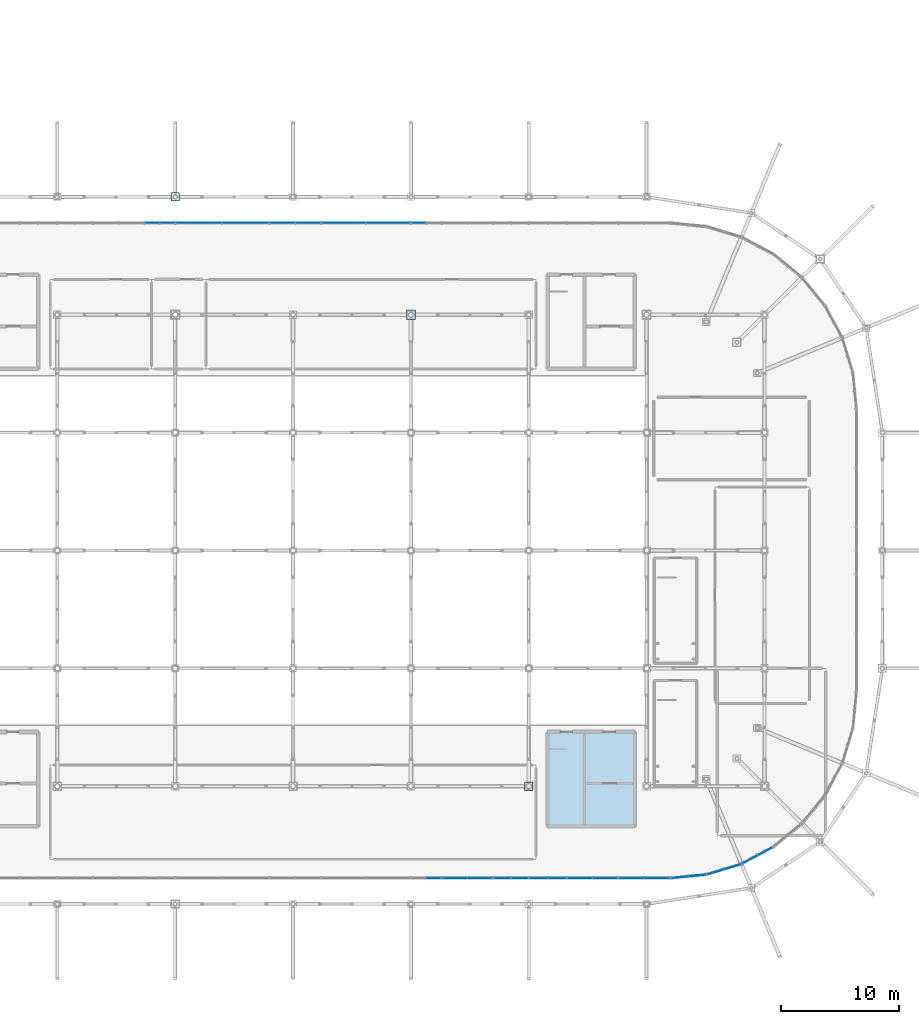
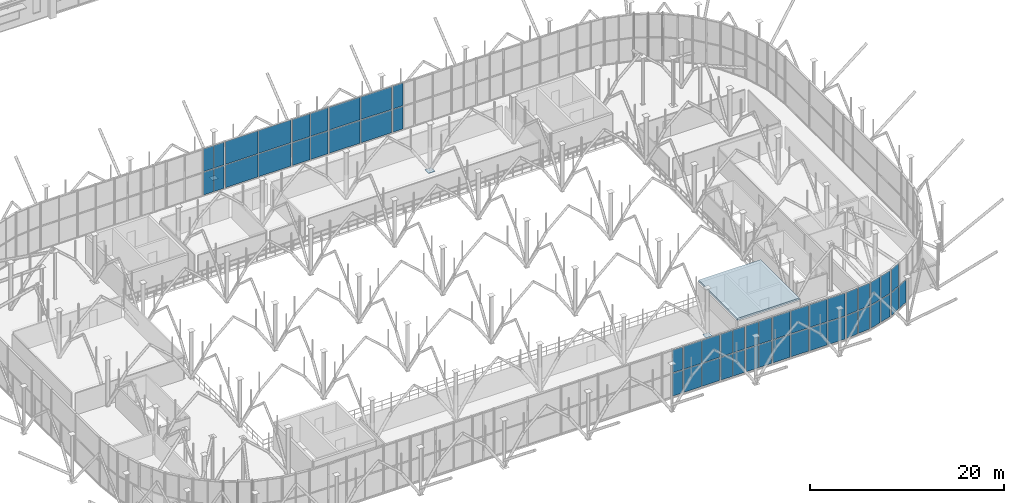
# One storey, part 89 of 109: 54 plates, 1 slab, 14 elements without a shape of their own.
"""IFC4 building model written with IfcOpenShell, lengths in metres."""

from ifc_helpers import new_model, si_unit, derived_unit, direction, frame, origin, origin_2d_with_axis, place, context, subcontext, project, spatial, polyline, rectangle, outline, extrude, material, layer, layer_set, type_object, element, aggregate, save


model = new_model("IFC4")

# Units and contexts
model_context = context("Model", 3, precision=1e-05, world=origin(), true_north=direction((0.0, 1.0)))
body_context = subcontext(model_context, "Body", "Model", "MODEL_VIEW")
ifc_project = project(units=[si_unit("LENGTHUNIT", "METRE"), si_unit("AREAUNIT", "SQUARE_METRE"), si_unit("VOLUMEUNIT", "CUBIC_METRE"), si_unit("PLANEANGLEUNIT", "RADIAN"), si_unit("MASSUNIT", "GRAM", prefix="KILO"), derived_unit("THERMALTRANSMITTANCEUNIT", [(si_unit("POWERUNIT", "WATT"), 1), (si_unit("LENGTHUNIT", "METRE"), -2), (si_unit("THERMODYNAMICTEMPERATUREUNIT", "KELVIN"), -1)])], contexts=[model_context])

# Site, building, storey
site_placement = place(None, origin())
site = spatial("IfcSite", under=ifc_project, at=site_placement, CompositionType="ELEMENT")
building_placement = place(site_placement, origin())
building = spatial("IfcBuilding", under=site, at=building_placement, Name="Cinnabar Yard Market Hall", CompositionType="ELEMENT")
storey_placement = place(building_placement, frame((0.0, 0.0, 8.39990234375)))
storey = spatial("IfcBuildingStorey", under=building, at=storey_placement, Name="L02", CompositionType="ELEMENT", Elevation=8.39990234375)

# Curtain wall, plates
ifc_material_1 = material(Name="Anodised bronze aluminium and low-E glass", Category="aluminium")
curtain_wall_type_1 = type_object("IfcCurtainWallType", Name="CW-CWH026x60", PredefinedType="NOTDEFINED", material=ifc_material_1)
curtain_wall_1_placement = place(storey_placement, origin())
curtain_wall_1 = element("IfcCurtainWall", 1, at=curtain_wall_1_placement, inside=storey, type_object=curtain_wall_type_1, Name="Market Hall North Upper Clerestory B2B", PredefinedType="NOTDEFINED")
ifc_material_2 = material(Name="Low-E laminated glass", Category="glass")
ifc_layer_1 = layer(ifc_material_2, 0.031982421875)
ifc_layer_set_1 = layer_set([ifc_layer_1], Name="Low-E laminated glass")
plate_type_1 = type_object("IfcPlateType", Name="CWP-GP118x287", PredefinedType="CURTAIN_PANEL", material=ifc_layer_set_1)
plate_1_placement = place(storey_placement, frame((105.330078125, 71.800048828125, 0.080078125), z_axis=(0.0, 0.0, 1.0), x_axis=(-1.0, 0.0, 0.0)))
plate_1 = element("IfcPlate", 2, at=plate_1_placement, type_object=plate_type_1, Name="CWH026x60 panel 1.1", PredefinedType="CURTAIN_PANEL", context=body_context, shape_type="SweptSolid", body=[
    extrude(rectangle(XDim=1.179931640625, YDim=0.031982421875, at=origin_2d_with_axis()), origin(), (0.0, 0.0, 1.0), 2.8701171875),
])
plate_2_placement = place(storey_placement, frame((105.330078125, 71.800048828125, 3.030029296875), z_axis=(0.0, 0.0, 1.0), x_axis=(-1.0, 0.0, 0.0)))
plate_2 = element("IfcPlate", 3, at=plate_2_placement, type_object=plate_type_1, Name="CWH026x60 panel 1.2", PredefinedType="CURTAIN_PANEL", context=body_context, shape_type="SweptSolid", body=[
    extrude(rectangle(XDim=1.179931640625, YDim=0.031982421875, at=origin_2d_with_axis()), origin(), (0.0, 0.0, 1.0), 2.8701171875),
])
plate_3_placement = place(storey_placement, frame((104.070068359375, 71.800048828125, 0.080078125), z_axis=(0.0, 0.0, 1.0), x_axis=(-1.0, 0.0, 0.0)))
plate_3 = element("IfcPlate", 4, at=plate_3_placement, type_object=plate_type_1, Name="CWH026x60 panel 2.1", PredefinedType="CURTAIN_PANEL", context=body_context, shape_type="SweptSolid", body=[
    extrude(rectangle(XDim=1.179931640625, YDim=0.031982421875, at=origin_2d_with_axis()), origin(), (0.0, 0.0, 1.0), 2.8701171875),
])
plate_4_placement = place(storey_placement, frame((104.070068359375, 71.800048828125, 3.030029296875), z_axis=(0.0, 0.0, 1.0), x_axis=(-1.0, 0.0, 0.0)))
plate_4 = element("IfcPlate", 5, at=plate_4_placement, type_object=plate_type_1, Name="CWH026x60 panel 2.2", PredefinedType="CURTAIN_PANEL", context=body_context, shape_type="SweptSolid", body=[
    extrude(rectangle(XDim=1.179931640625, YDim=0.031982421875, at=origin_2d_with_axis()), origin(), (0.0, 0.0, 1.0), 2.8701171875),
])
aggregate(curtain_wall_1, [plate_1, plate_2, plate_3, plate_4])

curtain_wall_2_placement = place(storey_placement, origin())
curtain_wall_2 = element("IfcCurtainWall", 6, at=curtain_wall_2_placement, inside=storey, type_object=curtain_wall_type_1, Name="Market Hall South Upper Clerestory B5A", PredefinedType="NOTDEFINED")
plate_5_placement = place(storey_placement, frame((127.929931640625, 16.199951171875, 0.080078125), z_axis=(0.0, 0.0, 1.0), x_axis=(1.0, 0.0, 0.0)))
plate_5 = element("IfcPlate", 7, at=plate_5_placement, type_object=plate_type_1, Name="CWH026x60 panel 2.1", PredefinedType="CURTAIN_PANEL", context=body_context, shape_type="SweptSolid", body=[
    extrude(rectangle(XDim=1.179931640625, YDim=0.031982421875, at=origin_2d_with_axis()), origin(), (0.0, 0.0, 1.0), 2.8701171875),
])
plate_6_placement = place(storey_placement, frame((127.929931640625, 16.199951171875, 3.030029296875), z_axis=(0.0, 0.0, 1.0), x_axis=(1.0, 0.0, 0.0)))
plate_6 = element("IfcPlate", 8, at=plate_6_placement, type_object=plate_type_1, Name="CWH026x60 panel 2.2", PredefinedType="CURTAIN_PANEL", context=body_context, shape_type="SweptSolid", body=[
    extrude(rectangle(XDim=1.179931640625, YDim=0.031982421875, at=origin_2d_with_axis()), origin(), (0.0, 0.0, 1.0), 2.8701171875),
])
aggregate(curtain_wall_2, [plate_5, plate_6])

curtain_wall_3_placement = place(storey_placement, origin())
curtain_wall_3 = element("IfcCurtainWall", 9, at=curtain_wall_3_placement, inside=storey, type_object=curtain_wall_type_1, Name="Market Hall North Upper Clerestory B5A", PredefinedType="NOTDEFINED")
plate_7_placement = place(storey_placement, frame((126.669921875, 71.800048828125, 0.080078125), z_axis=(0.0, 0.0, 1.0), x_axis=(-1.0, 0.0, 0.0)))
plate_7 = element("IfcPlate", 10, at=plate_7_placement, type_object=plate_type_1, Name="CWH026x60 panel 2.1", PredefinedType="CURTAIN_PANEL", context=body_context, shape_type="SweptSolid", body=[
    extrude(rectangle(XDim=1.179931640625, YDim=0.031982421875, at=origin_2d_with_axis()), origin(), (0.0, 0.0, 1.0), 2.8701171875),
])
plate_8_placement = place(storey_placement, frame((126.669921875, 71.800048828125, 3.030029296875), z_axis=(0.0, 0.0, 1.0), x_axis=(-1.0, 0.0, 0.0)))
plate_8 = element("IfcPlate", 11, at=plate_8_placement, type_object=plate_type_1, Name="CWH026x60 panel 2.2", PredefinedType="CURTAIN_PANEL", context=body_context, shape_type="SweptSolid", body=[
    extrude(rectangle(XDim=1.179931640625, YDim=0.031982421875, at=origin_2d_with_axis()), origin(), (0.0, 0.0, 1.0), 2.8701171875),
])
aggregate(curtain_wall_3, [plate_7, plate_8])

curtain_wall_type_2 = type_object("IfcCurtainWallType", Name="CW-CWH030x60", PredefinedType="NOTDEFINED", material=ifc_material_1)
curtain_wall_4_placement = place(storey_placement, origin())
curtain_wall_4 = element("IfcCurtainWall", 12, at=curtain_wall_4_placement, inside=storey, type_object=curtain_wall_type_2, Name="Market Hall South Upper Clerestory B5B", PredefinedType="NOTDEFINED")
ifc_layer_2 = layer(ifc_material_2, 0.031982421875)
ifc_layer_set_2 = layer_set([ifc_layer_2], Name="Low-E laminated glass")
plate_type_2 = type_object("IfcPlateType", Name="CWP-GP138x287", PredefinedType="CURTAIN_PANEL", material=ifc_layer_set_2)
plate_9_placement = place(storey_placement, frame((133.77001953125, 16.199951171875, 0.080078125), z_axis=(0.0, 0.0, 1.0), x_axis=(1.0, 0.0, 0.0)))
plate_9 = element("IfcPlate", 13, at=plate_9_placement, type_object=plate_type_2, Name="CWH030x60 panel 1.1", PredefinedType="CURTAIN_PANEL", context=body_context, shape_type="SweptSolid", body=[
    extrude(rectangle(XDim=1.3798828125, YDim=0.031982421875, at=origin_2d_with_axis()), origin(), (0.0, 0.0, 1.0), 2.8701171875),
])
plate_10_placement = place(storey_placement, frame((133.77001953125, 16.199951171875, 3.030029296875), z_axis=(0.0, 0.0, 1.0), x_axis=(1.0, 0.0, 0.0)))
plate_10 = element("IfcPlate", 14, at=plate_10_placement, type_object=plate_type_2, Name="CWH030x60 panel 1.2", PredefinedType="CURTAIN_PANEL", context=body_context, shape_type="SweptSolid", body=[
    extrude(rectangle(XDim=1.3798828125, YDim=0.031982421875, at=origin_2d_with_axis()), origin(), (0.0, 0.0, 1.0), 2.8701171875),
])
plate_11_placement = place(storey_placement, frame((135.22998046875, 16.199951171875, 0.080078125), z_axis=(0.0, 0.0, 1.0), x_axis=(1.0, 0.0, 0.0)))
plate_11 = element("IfcPlate", 15, at=plate_11_placement, type_object=plate_type_2, Name="CWH030x60 panel 2.1", PredefinedType="CURTAIN_PANEL", context=body_context, shape_type="SweptSolid", body=[
    extrude(rectangle(XDim=1.3798828125, YDim=0.031982421875, at=origin_2d_with_axis()), origin(), (0.0, 0.0, 1.0), 2.8701171875),
])
plate_12_placement = place(storey_placement, frame((135.22998046875, 16.199951171875, 3.030029296875), z_axis=(0.0, 0.0, 1.0), x_axis=(1.0, 0.0, 0.0)))
plate_12 = element("IfcPlate", 16, at=plate_12_placement, type_object=plate_type_2, Name="CWH030x60 panel 2.2", PredefinedType="CURTAIN_PANEL", context=body_context, shape_type="SweptSolid", body=[
    extrude(rectangle(XDim=1.3798828125, YDim=0.031982421875, at=origin_2d_with_axis()), origin(), (0.0, 0.0, 1.0), 2.8701171875),
])
aggregate(curtain_wall_4, [plate_9, plate_10, plate_11, plate_12])

ifc_material_3 = material(Name="Anodised bronze aluminium curved-chord facade", Category="aluminium")
curtain_wall_type_3 = type_object("IfcCurtainWallType", Name="CW-CWC031x60", PredefinedType="NOTDEFINED", material=ifc_material_3)
curtain_wall_5_placement = place(storey_placement, origin())
curtain_wall_5 = element("IfcCurtainWall", 17, at=curtain_wall_5_placement, inside=storey, type_object=curtain_wall_type_3, Name="Corner SE Chord 1 L02", PredefinedType="NOTDEFINED")
ifc_layer_3 = layer(ifc_material_2, 0.031982421875)
ifc_layer_set_3 = layer_set([ifc_layer_3], Name="Low-E laminated glass")
plate_type_3 = type_object("IfcPlateType", Name="CWP-GP141x286", PredefinedType="CURTAIN_PANEL", material=ifc_layer_set_3)
plate_13_placement = place(storey_placement, frame((148.79296875, 16.278076171875, 0.090087890625), z_axis=(0.0, 0.0, 1.0), x_axis=(0.995184408637, 0.098020369342, 0.0)))
plate_13 = element("IfcPlate", 18, at=plate_13_placement, type_object=plate_type_3, Name="CWC031x60 panel 1.1", PredefinedType="CURTAIN_PANEL", context=body_context, shape_type="SweptSolid", body=[
    extrude(rectangle(XDim=1.41357421875, YDim=0.031982421875, at=origin_2d_with_axis()), origin(), (0.0, 0.0, 1.0), 2.85498046875),
])
plate_14_placement = place(storey_placement, frame((148.79296875, 16.278076171875, 3.03515625), z_axis=(0.0, 0.0, 1.0), x_axis=(0.995184408637, 0.098020369342, 0.0)))
plate_14 = element("IfcPlate", 19, at=plate_14_placement, type_object=plate_type_3, Name="CWC031x60 panel 1.2", PredefinedType="CURTAIN_PANEL", context=body_context, shape_type="SweptSolid", body=[
    extrude(rectangle(XDim=1.41357421875, YDim=0.031982421875, at=origin_2d_with_axis()), origin(), (0.0, 0.0, 1.0), 2.85498046875),
])
plate_15_placement = place(storey_placement, frame((150.289306640625, 16.425537109375, 0.090087890625), z_axis=(0.0, 0.0, 1.0), x_axis=(0.995184408637, 0.098020369342, 0.0)))
plate_15 = element("IfcPlate", 20, at=plate_15_placement, type_object=plate_type_3, Name="CWC031x60 panel 2.1", PredefinedType="CURTAIN_PANEL", context=body_context, shape_type="SweptSolid", body=[
    extrude(rectangle(XDim=1.41357421875, YDim=0.031982421875, at=origin_2d_with_axis()), origin(), (0.0, 0.0, 1.0), 2.85498046875),
])
plate_16_placement = place(storey_placement, frame((150.289306640625, 16.425537109375, 3.03515625), z_axis=(0.0, 0.0, 1.0), x_axis=(0.995184408637, 0.098020369342, 0.0)))
plate_16 = element("IfcPlate", 21, at=plate_16_placement, type_object=plate_type_3, Name="CWC031x60 panel 2.2", PredefinedType="CURTAIN_PANEL", context=body_context, shape_type="SweptSolid", body=[
    extrude(rectangle(XDim=1.41357421875, YDim=0.031982421875, at=origin_2d_with_axis()), origin(), (0.0, 0.0, 1.0), 2.85498046875),
])
aggregate(curtain_wall_5, [plate_13, plate_14, plate_15, plate_16])

curtain_wall_6_placement = place(storey_placement, origin())
curtain_wall_6 = element("IfcCurtainWall", 22, at=curtain_wall_6_placement, inside=storey, type_object=curtain_wall_type_3, Name="Corner SE Chord 2 L02", PredefinedType="NOTDEFINED")
plate_17_placement = place(storey_placement, frame((151.844970703125, 16.73486328125, 0.090087890625), z_axis=(0.0, 0.0, 1.0), x_axis=(0.956942090856, 0.290278891325, 0.0)))
plate_17 = element("IfcPlate", 23, at=plate_17_placement, type_object=plate_type_3, Name="CWC031x60 panel 1.1", PredefinedType="CURTAIN_PANEL", context=body_context, shape_type="SweptSolid", body=[
    extrude(rectangle(XDim=1.41357421875, YDim=0.031982421875, at=origin_2d_with_axis()), origin(), (0.0, 0.0, 1.0), 2.85498046875),
])
plate_18_placement = place(storey_placement, frame((151.844970703125, 16.73486328125, 3.03515625), z_axis=(0.0, 0.0, 1.0), x_axis=(0.956942090856, 0.290278891325, 0.0)))
plate_18 = element("IfcPlate", 24, at=plate_18_placement, type_object=plate_type_3, Name="CWC031x60 panel 1.2", PredefinedType="CURTAIN_PANEL", context=body_context, shape_type="SweptSolid", body=[
    extrude(rectangle(XDim=1.41357421875, YDim=0.031982421875, at=origin_2d_with_axis()), origin(), (0.0, 0.0, 1.0), 2.85498046875),
])
plate_19_placement = place(storey_placement, frame((153.283935546875, 17.17138671875, 0.090087890625), z_axis=(0.0, 0.0, 1.0), x_axis=(0.956942090856, 0.290278891325, 0.0)))
plate_19 = element("IfcPlate", 25, at=plate_19_placement, type_object=plate_type_3, Name="CWC031x60 panel 2.1", PredefinedType="CURTAIN_PANEL", context=body_context, shape_type="SweptSolid", body=[
    extrude(rectangle(XDim=1.41357421875, YDim=0.031982421875, at=origin_2d_with_axis()), origin(), (0.0, 0.0, 1.0), 2.85498046875),
])
plate_20_placement = place(storey_placement, frame((153.283935546875, 17.17138671875, 3.03515625), z_axis=(0.0, 0.0, 1.0), x_axis=(0.956942090856, 0.290278891325, 0.0)))
plate_20 = element("IfcPlate", 26, at=plate_20_placement, type_object=plate_type_3, Name="CWC031x60 panel 2.2", PredefinedType="CURTAIN_PANEL", context=body_context, shape_type="SweptSolid", body=[
    extrude(rectangle(XDim=1.41357421875, YDim=0.031982421875, at=origin_2d_with_axis()), origin(), (0.0, 0.0, 1.0), 2.85498046875),
])
aggregate(curtain_wall_6, [plate_17, plate_18, plate_19, plate_20])

curtain_wall_7_placement = place(storey_placement, origin())
curtain_wall_7 = element("IfcCurtainWall", 27, at=curtain_wall_7_placement, inside=storey, type_object=curtain_wall_type_3, Name="Corner SE Chord 3 L02", PredefinedType="NOTDEFINED")
plate_21_placement = place(storey_placement, frame((154.7490234375, 17.7783203125, 0.090087890625), z_axis=(0.0, 0.0, 1.0), x_axis=(0.881917320707, 0.471404114786, 0.0)))
plate_21 = element("IfcPlate", 28, at=plate_21_placement, type_object=plate_type_3, Name="CWC031x60 panel 1.1", PredefinedType="CURTAIN_PANEL", context=body_context, shape_type="SweptSolid", body=[
    extrude(rectangle(XDim=1.41357421875, YDim=0.031982421875, at=origin_2d_with_axis()), origin(), (0.0, 0.0, 1.0), 2.85498046875),
])
plate_22_placement = place(storey_placement, frame((154.7490234375, 17.7783203125, 3.03515625), z_axis=(0.0, 0.0, 1.0), x_axis=(0.881917320707, 0.471404114786, 0.0)))
plate_22 = element("IfcPlate", 29, at=plate_22_placement, type_object=plate_type_3, Name="CWC031x60 panel 1.2", PredefinedType="CURTAIN_PANEL", context=body_context, shape_type="SweptSolid", body=[
    extrude(rectangle(XDim=1.41357421875, YDim=0.031982421875, at=origin_2d_with_axis()), origin(), (0.0, 0.0, 1.0), 2.85498046875),
])
plate_23_placement = place(storey_placement, frame((156.0751953125, 18.487060546875, 0.090087890625), z_axis=(0.0, 0.0, 1.0), x_axis=(0.881917320707, 0.471404114786, 0.0)))
plate_23 = element("IfcPlate", 30, at=plate_23_placement, type_object=plate_type_3, Name="CWC031x60 panel 2.1", PredefinedType="CURTAIN_PANEL", context=body_context, shape_type="SweptSolid", body=[
    extrude(rectangle(XDim=1.41357421875, YDim=0.031982421875, at=origin_2d_with_axis()), origin(), (0.0, 0.0, 1.0), 2.85498046875),
])
aggregate(curtain_wall_7, [plate_21, plate_22, plate_23])

curtain_wall_type_4 = type_object("IfcCurtainWallType", Name="CW-CWH032x60", PredefinedType="NOTDEFINED", material=ifc_material_1)
curtain_wall_8_placement = place(storey_placement, origin())
curtain_wall_8 = element("IfcCurtainWall", 31, at=curtain_wall_8_placement, inside=storey, type_object=curtain_wall_type_4, Name="Market Hall South Upper Clerestory B6A", PredefinedType="NOTDEFINED")
ifc_layer_4 = layer(ifc_material_2, 0.031982421875)
ifc_layer_set_4 = layer_set([ifc_layer_4], Name="Low-E laminated glass")
plate_type_4 = type_object("IfcPlateType", Name="CWP-GP148x287", PredefinedType="CURTAIN_PANEL", material=ifc_layer_set_4)
plate_24_placement = place(storey_placement, frame((136.820068359375, 16.199951171875, 0.080078125), z_axis=(0.0, 0.0, 1.0), x_axis=(1.0, 0.0, 0.0)))
plate_24 = element("IfcPlate", 32, at=plate_24_placement, type_object=plate_type_4, Name="CWH032x60 panel 1.1", PredefinedType="CURTAIN_PANEL", context=body_context, shape_type="SweptSolid", body=[
    extrude(rectangle(XDim=1.47998046875, YDim=0.031982421875, at=origin_2d_with_axis()), origin(), (0.0, 0.0, 1.0), 2.8701171875),
])
plate_25_placement = place(storey_placement, frame((136.820068359375, 16.199951171875, 3.030029296875), z_axis=(0.0, 0.0, 1.0), x_axis=(1.0, 0.0, 0.0)))
plate_25 = element("IfcPlate", 33, at=plate_25_placement, type_object=plate_type_4, Name="CWH032x60 panel 1.2", PredefinedType="CURTAIN_PANEL", context=body_context, shape_type="SweptSolid", body=[
    extrude(rectangle(XDim=1.47998046875, YDim=0.031982421875, at=origin_2d_with_axis()), origin(), (0.0, 0.0, 1.0), 2.8701171875),
])
plate_26_placement = place(storey_placement, frame((138.3798828125, 16.199951171875, 0.080078125), z_axis=(0.0, 0.0, 1.0), x_axis=(1.0, 0.0, 0.0)))
plate_26 = element("IfcPlate", 34, at=plate_26_placement, type_object=plate_type_4, Name="CWH032x60 panel 2.1", PredefinedType="CURTAIN_PANEL", context=body_context, shape_type="SweptSolid", body=[
    extrude(rectangle(XDim=1.47998046875, YDim=0.031982421875, at=origin_2d_with_axis()), origin(), (0.0, 0.0, 1.0), 2.8701171875),
])
plate_27_placement = place(storey_placement, frame((138.3798828125, 16.199951171875, 3.030029296875), z_axis=(0.0, 0.0, 1.0), x_axis=(1.0, 0.0, 0.0)))
plate_27 = element("IfcPlate", 35, at=plate_27_placement, type_object=plate_type_4, Name="CWH032x60 panel 2.2", PredefinedType="CURTAIN_PANEL", context=body_context, shape_type="SweptSolid", body=[
    extrude(rectangle(XDim=1.47998046875, YDim=0.031982421875, at=origin_2d_with_axis()), origin(), (0.0, 0.0, 1.0), 2.8701171875),
])
aggregate(curtain_wall_8, [plate_24, plate_25, plate_26, plate_27])

curtain_wall_type_5 = type_object("IfcCurtainWallType", Name="CW-CWH044x60", PredefinedType="NOTDEFINED", material=ifc_material_1)
curtain_wall_9_placement = place(storey_placement, origin())
curtain_wall_9 = element("IfcCurtainWall", 36, at=curtain_wall_9_placement, inside=storey, type_object=curtain_wall_type_5, Name="Market Hall North Upper Clerestory PT1", PredefinedType="NOTDEFINED")
ifc_layer_5 = layer(ifc_material_2, 0.031982421875)
ifc_layer_set_5 = layer_set([ifc_layer_5], Name="Low-E laminated glass")
plate_type_5 = type_object("IfcPlateType", Name="CWP-GP208x287", PredefinedType="CURTAIN_PANEL", material=ifc_layer_set_5)
plate_28_placement = place(storey_placement, frame((117.280029296875, 71.800048828125, 0.080078125), z_axis=(0.0, 0.0, 1.0), x_axis=(-1.0, 0.0, 0.0)))
plate_28 = element("IfcPlate", 37, at=plate_28_placement, type_object=plate_type_5, Name="CWH044x60 panel 1.1", PredefinedType="CURTAIN_PANEL", context=body_context, shape_type="SweptSolid", body=[
    extrude(rectangle(XDim=2.080078125, YDim=0.031982421875, at=origin_2d_with_axis()), origin(), (0.0, 0.0, 1.0), 2.8701171875),
])
plate_29_placement = place(storey_placement, frame((117.280029296875, 71.800048828125, 3.030029296875), z_axis=(0.0, 0.0, 1.0), x_axis=(-1.0, 0.0, 0.0)))
plate_29 = element("IfcPlate", 38, at=plate_29_placement, type_object=plate_type_5, Name="CWH044x60 panel 1.2", PredefinedType="CURTAIN_PANEL", context=body_context, shape_type="SweptSolid", body=[
    extrude(rectangle(XDim=2.080078125, YDim=0.031982421875, at=origin_2d_with_axis()), origin(), (0.0, 0.0, 1.0), 2.8701171875),
])
plate_30_placement = place(storey_placement, frame((115.1201171875, 71.800048828125, 0.080078125), z_axis=(0.0, 0.0, 1.0), x_axis=(-1.0, 0.0, 0.0)))
plate_30 = element("IfcPlate", 39, at=plate_30_placement, type_object=plate_type_5, Name="CWH044x60 panel 2.1", PredefinedType="CURTAIN_PANEL", context=body_context, shape_type="SweptSolid", body=[
    extrude(rectangle(XDim=2.080078125, YDim=0.031982421875, at=origin_2d_with_axis()), origin(), (0.0, 0.0, 1.0), 2.8701171875),
])
plate_31_placement = place(storey_placement, frame((115.1201171875, 71.800048828125, 3.030029296875), z_axis=(0.0, 0.0, 1.0), x_axis=(-1.0, 0.0, 0.0)))
plate_31 = element("IfcPlate", 40, at=plate_31_placement, type_object=plate_type_5, Name="CWH044x60 panel 2.2", PredefinedType="CURTAIN_PANEL", context=body_context, shape_type="SweptSolid", body=[
    extrude(rectangle(XDim=2.080078125, YDim=0.031982421875, at=origin_2d_with_axis()), origin(), (0.0, 0.0, 1.0), 2.8701171875),
])
aggregate(curtain_wall_9, [plate_28, plate_29, plate_30, plate_31])

curtain_wall_10_placement = place(storey_placement, origin())
curtain_wall_10 = element("IfcCurtainWall", 41, at=curtain_wall_10_placement, inside=storey, type_object=curtain_wall_type_5, Name="Market Hall South Upper Clerestory PTB5", PredefinedType="NOTDEFINED")
plate_32_placement = place(storey_placement, frame((129.719970703125, 16.199951171875, 0.080078125), z_axis=(0.0, 0.0, 1.0), x_axis=(1.0, 0.0, 0.0)))
plate_32 = element("IfcPlate", 42, at=plate_32_placement, type_object=plate_type_5, Name="CWH044x60 panel 1.1", PredefinedType="CURTAIN_PANEL", context=body_context, shape_type="SweptSolid", body=[
    extrude(rectangle(XDim=2.080078125, YDim=0.031982421875, at=origin_2d_with_axis()), origin(), (0.0, 0.0, 1.0), 2.8701171875),
])
plate_33_placement = place(storey_placement, frame((129.719970703125, 16.199951171875, 3.030029296875), z_axis=(0.0, 0.0, 1.0), x_axis=(1.0, 0.0, 0.0)))
plate_33 = element("IfcPlate", 43, at=plate_33_placement, type_object=plate_type_5, Name="CWH044x60 panel 1.2", PredefinedType="CURTAIN_PANEL", context=body_context, shape_type="SweptSolid", body=[
    extrude(rectangle(XDim=2.080078125, YDim=0.031982421875, at=origin_2d_with_axis()), origin(), (0.0, 0.0, 1.0), 2.8701171875),
])
plate_34_placement = place(storey_placement, frame((131.8798828125, 16.199951171875, 0.080078125), z_axis=(0.0, 0.0, 1.0), x_axis=(1.0, 0.0, 0.0)))
plate_34 = element("IfcPlate", 44, at=plate_34_placement, type_object=plate_type_5, Name="CWH044x60 panel 2.1", PredefinedType="CURTAIN_PANEL", context=body_context, shape_type="SweptSolid", body=[
    extrude(rectangle(XDim=2.080078125, YDim=0.031982421875, at=origin_2d_with_axis()), origin(), (0.0, 0.0, 1.0), 2.8701171875),
])
plate_35_placement = place(storey_placement, frame((131.8798828125, 16.199951171875, 3.030029296875), z_axis=(0.0, 0.0, 1.0), x_axis=(1.0, 0.0, 0.0)))
plate_35 = element("IfcPlate", 45, at=plate_35_placement, type_object=plate_type_5, Name="CWH044x60 panel 2.2", PredefinedType="CURTAIN_PANEL", context=body_context, shape_type="SweptSolid", body=[
    extrude(rectangle(XDim=2.080078125, YDim=0.031982421875, at=origin_2d_with_axis()), origin(), (0.0, 0.0, 1.0), 2.8701171875),
])
aggregate(curtain_wall_10, [plate_32, plate_33, plate_34, plate_35])

curtain_wall_11_placement = place(storey_placement, origin())
curtain_wall_11 = element("IfcCurtainWall", 46, at=curtain_wall_11_placement, inside=storey, type_object=curtain_wall_type_5, Name="Market Hall South Upper Clerestory PTE", PredefinedType="NOTDEFINED")
plate_36_placement = place(storey_placement, frame((140.320068359375, 16.199951171875, 0.080078125), z_axis=(0.0, 0.0, 1.0), x_axis=(1.0, 0.0, 0.0)))
plate_36 = element("IfcPlate", 47, at=plate_36_placement, type_object=plate_type_5, Name="CWH044x60 panel 1.1", PredefinedType="CURTAIN_PANEL", context=body_context, shape_type="SweptSolid", body=[
    extrude(rectangle(XDim=2.080078125, YDim=0.031982421875, at=origin_2d_with_axis()), origin(), (0.0, 0.0, 1.0), 2.8701171875),
])
plate_37_placement = place(storey_placement, frame((140.320068359375, 16.199951171875, 3.030029296875), z_axis=(0.0, 0.0, 1.0), x_axis=(1.0, 0.0, 0.0)))
plate_37 = element("IfcPlate", 48, at=plate_37_placement, type_object=plate_type_5, Name="CWH044x60 panel 1.2", PredefinedType="CURTAIN_PANEL", context=body_context, shape_type="SweptSolid", body=[
    extrude(rectangle(XDim=2.080078125, YDim=0.031982421875, at=origin_2d_with_axis()), origin(), (0.0, 0.0, 1.0), 2.8701171875),
])
plate_38_placement = place(storey_placement, frame((142.47998046875, 16.199951171875, 0.080078125), z_axis=(0.0, 0.0, 1.0), x_axis=(1.0, 0.0, 0.0)))
plate_38 = element("IfcPlate", 49, at=plate_38_placement, type_object=plate_type_5, Name="CWH044x60 panel 2.1", PredefinedType="CURTAIN_PANEL", context=body_context, shape_type="SweptSolid", body=[
    extrude(rectangle(XDim=2.080078125, YDim=0.031982421875, at=origin_2d_with_axis()), origin(), (0.0, 0.0, 1.0), 2.8701171875),
])
plate_39_placement = place(storey_placement, frame((142.47998046875, 16.199951171875, 3.030029296875), z_axis=(0.0, 0.0, 1.0), x_axis=(1.0, 0.0, 0.0)))
plate_39 = element("IfcPlate", 50, at=plate_39_placement, type_object=plate_type_5, Name="CWH044x60 panel 2.2", PredefinedType="CURTAIN_PANEL", context=body_context, shape_type="SweptSolid", body=[
    extrude(rectangle(XDim=2.080078125, YDim=0.031982421875, at=origin_2d_with_axis()), origin(), (0.0, 0.0, 1.0), 2.8701171875),
])
aggregate(curtain_wall_11, [plate_36, plate_37, plate_38, plate_39])

curtain_wall_12_placement = place(storey_placement, origin())
curtain_wall_12 = element("IfcCurtainWall", 51, at=curtain_wall_12_placement, inside=storey, type_object=curtain_wall_type_5, Name="Market Hall South Upper Clerestory B6B", PredefinedType="NOTDEFINED")
plate_40_placement = place(storey_placement, frame((144.719970703125, 16.199951171875, 0.080078125), z_axis=(0.0, 0.0, 1.0), x_axis=(1.0, 0.0, 0.0)))
plate_40 = element("IfcPlate", 52, at=plate_40_placement, type_object=plate_type_5, Name="CWH044x60 panel 1.1", PredefinedType="CURTAIN_PANEL", context=body_context, shape_type="SweptSolid", body=[
    extrude(rectangle(XDim=2.080078125, YDim=0.031982421875, at=origin_2d_with_axis()), origin(), (0.0, 0.0, 1.0), 2.8701171875),
])
plate_41_placement = place(storey_placement, frame((144.719970703125, 16.199951171875, 3.030029296875), z_axis=(0.0, 0.0, 1.0), x_axis=(1.0, 0.0, 0.0)))
plate_41 = element("IfcPlate", 53, at=plate_41_placement, type_object=plate_type_5, Name="CWH044x60 panel 1.2", PredefinedType="CURTAIN_PANEL", context=body_context, shape_type="SweptSolid", body=[
    extrude(rectangle(XDim=2.080078125, YDim=0.031982421875, at=origin_2d_with_axis()), origin(), (0.0, 0.0, 1.0), 2.8701171875),
])
plate_42_placement = place(storey_placement, frame((146.8798828125, 16.199951171875, 0.080078125), z_axis=(0.0, 0.0, 1.0), x_axis=(1.0, 0.0, 0.0)))
plate_42 = element("IfcPlate", 54, at=plate_42_placement, type_object=plate_type_5, Name="CWH044x60 panel 2.1", PredefinedType="CURTAIN_PANEL", context=body_context, shape_type="SweptSolid", body=[
    extrude(rectangle(XDim=2.080078125, YDim=0.031982421875, at=origin_2d_with_axis()), origin(), (0.0, 0.0, 1.0), 2.8701171875),
])
plate_43_placement = place(storey_placement, frame((146.8798828125, 16.199951171875, 3.030029296875), z_axis=(0.0, 0.0, 1.0), x_axis=(1.0, 0.0, 0.0)))
plate_43 = element("IfcPlate", 55, at=plate_43_placement, type_object=plate_type_5, Name="CWH044x60 panel 2.2", PredefinedType="CURTAIN_PANEL", context=body_context, shape_type="SweptSolid", body=[
    extrude(rectangle(XDim=2.080078125, YDim=0.031982421875, at=origin_2d_with_axis()), origin(), (0.0, 0.0, 1.0), 2.8701171875),
])
aggregate(curtain_wall_12, [plate_40, plate_41, plate_42, plate_43])

curtain_wall_type_6 = type_object("IfcCurtainWallType", Name="CW-CWH076x60", PredefinedType="NOTDEFINED", material=ifc_material_1)
curtain_wall_13_placement = place(storey_placement, origin())
curtain_wall_13 = element("IfcCurtainWall", 56, at=curtain_wall_13_placement, inside=storey, type_object=curtain_wall_type_6, Name="Market Hall North Upper Clerestory B4", PredefinedType="NOTDEFINED")
ifc_layer_6 = layer(ifc_material_2, 0.031982421875)
ifc_layer_set_6 = layer_set([ifc_layer_6], Name="Low-E laminated glass")
plate_type_6 = type_object("IfcPlateType", Name="CWP-GP368x287", PredefinedType="CURTAIN_PANEL", material=ifc_layer_set_6)
plate_44_placement = place(storey_placement, frame((124.080078125, 71.800048828125, 0.080078125), z_axis=(0.0, 0.0, 1.0), x_axis=(-1.0, 0.0, 0.0)))
plate_44 = element("IfcPlate", 57, at=plate_44_placement, type_object=plate_type_6, Name="CWH076x60 panel 1.1", PredefinedType="CURTAIN_PANEL", context=body_context, shape_type="SweptSolid", body=[
    extrude(rectangle(XDim=3.679931640625, YDim=0.031982421875, at=origin_2d_with_axis()), origin(), (0.0, 0.0, 1.0), 2.8701171875),
])
plate_45_placement = place(storey_placement, frame((124.080078125, 71.800048828125, 3.030029296875), z_axis=(0.0, 0.0, 1.0), x_axis=(-1.0, 0.0, 0.0)))
plate_45 = element("IfcPlate", 58, at=plate_45_placement, type_object=plate_type_6, Name="CWH076x60 panel 1.2", PredefinedType="CURTAIN_PANEL", context=body_context, shape_type="SweptSolid", body=[
    extrude(rectangle(XDim=3.679931640625, YDim=0.031982421875, at=origin_2d_with_axis()), origin(), (0.0, 0.0, 1.0), 2.8701171875),
])
plate_46_placement = place(storey_placement, frame((120.320068359375, 71.800048828125, 0.080078125), z_axis=(0.0, 0.0, 1.0), x_axis=(-1.0, 0.0, 0.0)))
plate_46 = element("IfcPlate", 59, at=plate_46_placement, type_object=plate_type_6, Name="CWH076x60 panel 2.1", PredefinedType="CURTAIN_PANEL", context=body_context, shape_type="SweptSolid", body=[
    extrude(rectangle(XDim=3.679931640625, YDim=0.031982421875, at=origin_2d_with_axis()), origin(), (0.0, 0.0, 1.0), 2.8701171875),
])
plate_47_placement = place(storey_placement, frame((120.320068359375, 71.800048828125, 3.030029296875), z_axis=(0.0, 0.0, 1.0), x_axis=(-1.0, 0.0, 0.0)))
plate_47 = element("IfcPlate", 60, at=plate_47_placement, type_object=plate_type_6, Name="CWH076x60 panel 2.2", PredefinedType="CURTAIN_PANEL", context=body_context, shape_type="SweptSolid", body=[
    extrude(rectangle(XDim=3.679931640625, YDim=0.031982421875, at=origin_2d_with_axis()), origin(), (0.0, 0.0, 1.0), 2.8701171875),
])
aggregate(curtain_wall_13, [plate_44, plate_45, plate_46, plate_47])

curtain_wall_type_7 = type_object("IfcCurtainWallType", Name="CW-CWH080x60", PredefinedType="NOTDEFINED", material=ifc_material_1)
curtain_wall_14_placement = place(storey_placement, origin())
curtain_wall_14 = element("IfcCurtainWall", 61, at=curtain_wall_14_placement, inside=storey, type_object=curtain_wall_type_7, Name="Market Hall North Upper Clerestory B3", PredefinedType="NOTDEFINED")
ifc_layer_7 = layer(ifc_material_2, 0.031982421875)
ifc_layer_set_7 = layer_set([ifc_layer_7], Name="Low-E laminated glass")
plate_type_7 = type_object("IfcPlateType", Name="CWP-GP388x287", PredefinedType="CURTAIN_PANEL", material=ifc_layer_set_7)
plate_48_placement = place(storey_placement, frame((111.97998046875, 71.800048828125, 0.080078125), z_axis=(0.0, 0.0, 1.0), x_axis=(-1.0, 0.0, 0.0)))
plate_48 = element("IfcPlate", 62, at=plate_48_placement, type_object=plate_type_7, Name="CWH080x60 panel 1.1", PredefinedType="CURTAIN_PANEL", context=body_context, shape_type="SweptSolid", body=[
    extrude(rectangle(XDim=3.8798828125, YDim=0.031982421875, at=origin_2d_with_axis()), origin(), (0.0, 0.0, 1.0), 2.8701171875),
])
plate_49_placement = place(storey_placement, frame((111.97998046875, 71.800048828125, 3.030029296875), z_axis=(0.0, 0.0, 1.0), x_axis=(-1.0, 0.0, 0.0)))
plate_49 = element("IfcPlate", 63, at=plate_49_placement, type_object=plate_type_7, Name="CWH080x60 panel 1.2", PredefinedType="CURTAIN_PANEL", context=body_context, shape_type="SweptSolid", body=[
    extrude(rectangle(XDim=3.8798828125, YDim=0.031982421875, at=origin_2d_with_axis()), origin(), (0.0, 0.0, 1.0), 2.8701171875),
])
plate_50_placement = place(storey_placement, frame((108.02001953125, 71.800048828125, 0.080078125), z_axis=(0.0, 0.0, 1.0), x_axis=(-1.0, 0.0, 0.0)))
plate_50 = element("IfcPlate", 64, at=plate_50_placement, type_object=plate_type_7, Name="CWH080x60 panel 2.1", PredefinedType="CURTAIN_PANEL", context=body_context, shape_type="SweptSolid", body=[
    extrude(rectangle(XDim=3.8798828125, YDim=0.031982421875, at=origin_2d_with_axis()), origin(), (0.0, 0.0, 1.0), 2.8701171875),
])
plate_51_placement = place(storey_placement, frame((108.02001953125, 71.800048828125, 3.030029296875), z_axis=(0.0, 0.0, 1.0), x_axis=(-1.0, 0.0, 0.0)))
plate_51 = element("IfcPlate", 65, at=plate_51_placement, type_object=plate_type_7, Name="CWH080x60 panel 2.2", PredefinedType="CURTAIN_PANEL", context=body_context, shape_type="SweptSolid", body=[
    extrude(rectangle(XDim=3.8798828125, YDim=0.031982421875, at=origin_2d_with_axis()), origin(), (0.0, 0.0, 1.0), 2.8701171875),
])
aggregate(curtain_wall_14, [plate_48, plate_49, plate_50, plate_51])

# Plates
ifc_material_4 = material(Name="Steel Grade 350 (350 MPa)", Category="steel")
ifc_layer_8 = layer(ifc_material_4, 0.028076171875)
ifc_layer_set_8 = layer_set([ifc_layer_8], Name="Steel Grade 350 (350 MPa)")
plate_type_8 = type_object("IfcPlateType", Name="PL-NP01", PredefinedType="SHEET", material=ifc_layer_set_8)
plate_52_placement = place(storey_placement, frame((136.0, 24.0, -0.01416015625), z_axis=(0.0, 0.0, 1.0), x_axis=(1.0, 0.0, 0.0)))
element("IfcPlate", 66, at=plate_52_placement, inside=storey, type_object=plate_type_8, Name="Tree Collar Plate V1I-07-01", PredefinedType="SHEET", context=body_context, shape_type="SweptSolid", body=[
    extrude(rectangle(XDim=0.719970703125, YDim=0.719970703125, at=origin_2d_with_axis()), origin(), (0.0, 0.0, 1.0), 0.028076171875),
])
ifc_layer_9 = layer(ifc_material_4, 0.028076171875)
ifc_layer_set_9 = layer_set([ifc_layer_9], Name="Steel Grade 350 (350 MPa)")
plate_type_9 = type_object("IfcPlateType", Name="PL-NP01E", PredefinedType="SHEET", material=ifc_layer_set_9)
plate_53_placement = place(storey_placement, frame((106.0, 74.0, -0.01416015625), z_axis=(0.0, 0.0, 1.0), x_axis=(1.0, 0.0, 0.0)))
element("IfcPlate", 67, at=plate_53_placement, inside=storey, type_object=plate_type_9, Name="Tree Collar Plate V1N-03", PredefinedType="SHEET", context=body_context, shape_type="SweptSolid", body=[
    extrude(rectangle(XDim=0.719970703125, YDim=0.719970703125, at=origin_2d_with_axis()), origin(), (0.0, 0.0, 1.0), 0.028076171875),
])
ifc_layer_10 = layer(ifc_material_4, 0.031982421875)
ifc_layer_set_10 = layer_set([ifc_layer_10], Name="Steel Grade 350 (350 MPa)")
plate_type_10 = type_object("IfcPlateType", Name="PL-NP10", PredefinedType="SHEET", material=ifc_layer_set_10)
plate_54_placement = place(storey_placement, frame((126.0, 64.0, -0.01611328125), z_axis=(0.0, 0.0, 1.0), x_axis=(1.0, 0.0, 0.0)))
element("IfcPlate", 68, at=plate_54_placement, inside=storey, type_object=plate_type_10, Name="Tree Collar Plate V1I-06-05", PredefinedType="SHEET", context=body_context, shape_type="SweptSolid", body=[
    extrude(rectangle(XDim=0.780029296875, YDim=0.780029296875, at=origin_2d_with_axis()), origin(), (0.0, 0.0, 1.0), 0.031982421875),
])

# Slab
ifc_material_5 = material(Name="Concrete 40 MPa", Category="concrete")
ifc_layer_11 = layer(ifc_material_5, 0.239990234375)
ifc_layer_set_11 = layer_set([ifc_layer_11], Name="Concrete 40 MPa")
slab_type = type_object("IfcSlabType", Name="SL-L03", PredefinedType="FLOOR", material=ifc_layer_set_11)
slab_placement = place(storey_placement, frame((0.0, 0.0, 3.360107421875)))
element("IfcSlab", 69, at=slab_placement, inside=storey, type_object=slab_type, Name="Core C2 Shaft Cap Slab", PredefinedType="FLOOR", context=body_context, shape_type="SweptSolid", body=[
    extrude(outline(polyline([(137.60009765625, 20.60009765625), (145.0, 20.60009765625), (145.0, 28.60009765625), (137.60009765625, 28.60009765625), (137.60009765625, 20.60009765625)])), origin(), (0.0, 0.0, 1.0), 0.239990234375),
])

save(model, "model.ifc")
